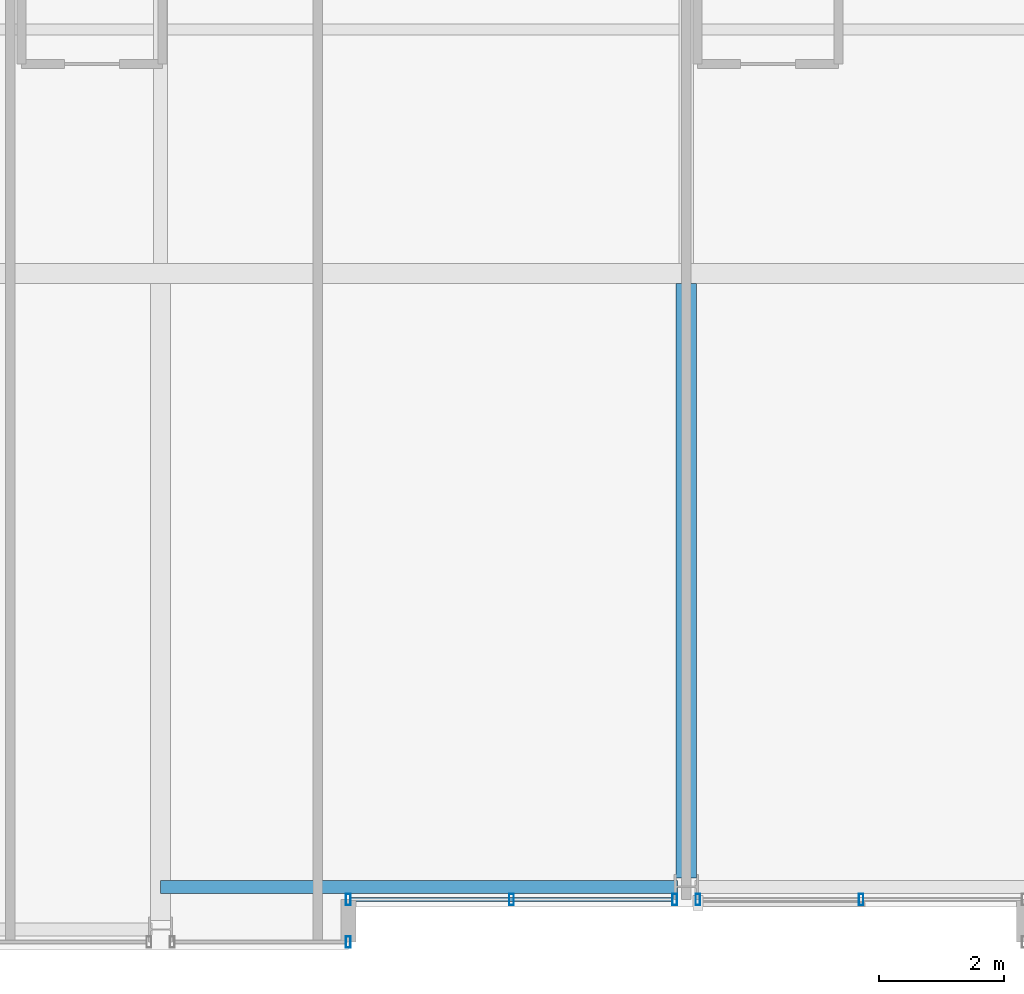
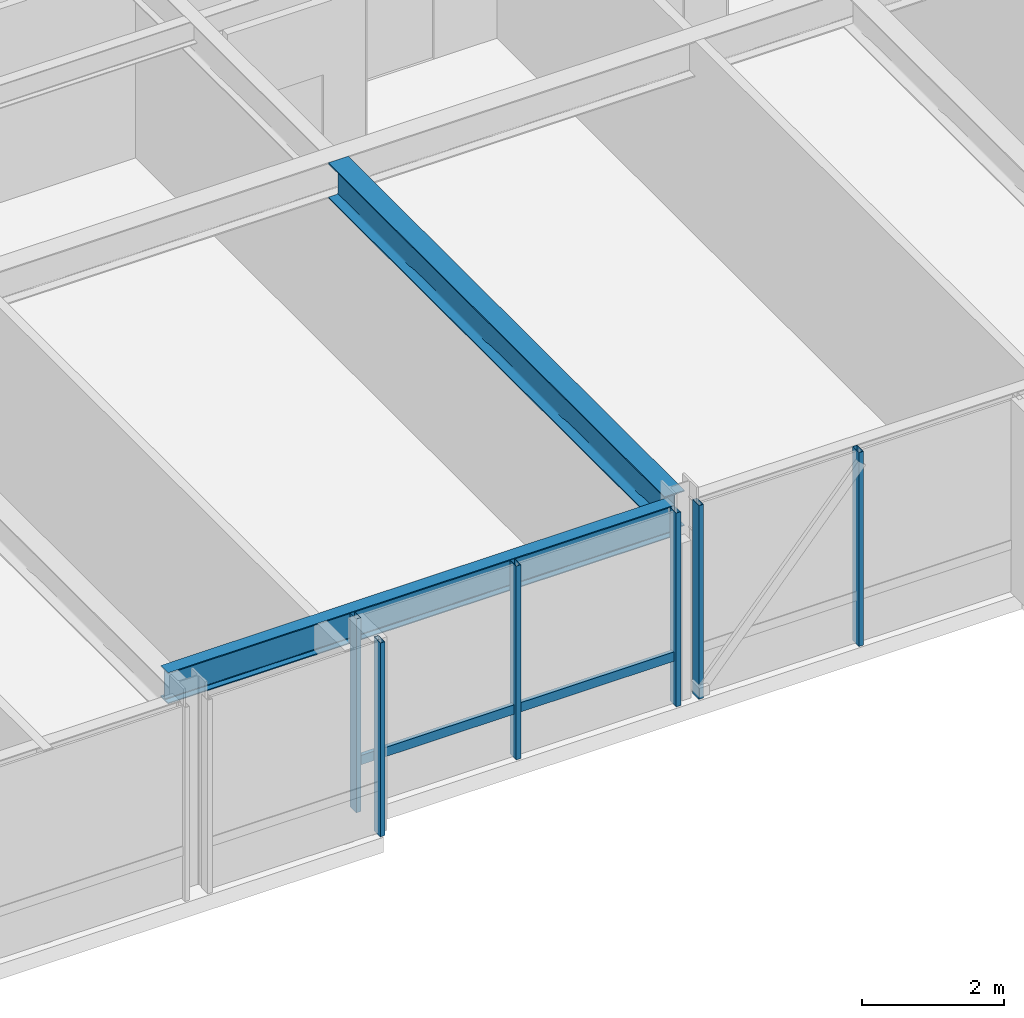
# One storey, part 5 of 33: 7 members, 2 beams, 3 elements without a shape of their own.
"""IFC4 building model written with IfcOpenShell, lengths in metres."""

from ifc_helpers import new_model, si_unit, direction, frame, origin, origin_2d, place, context, subcontext, project, spatial, hollow_rectangle, i_section, extrude, material, layer, layer_set, material_profile, profile_set, type_object, element, aggregate, save


model = new_model("IFC4")

# Units and contexts
model_context = context("Model", 3, precision=1e-05, world=origin(), true_north=direction((0.0, 1.0)))
body_context = subcontext(model_context, "Body", "Model", "MODEL_VIEW")
ifc_project = project(units=[si_unit("LENGTHUNIT", "METRE"), si_unit("AREAUNIT", "SQUARE_METRE"), si_unit("VOLUMEUNIT", "CUBIC_METRE"), si_unit("PLANEANGLEUNIT", "RADIAN"), si_unit("MASSUNIT", "GRAM", prefix="KILO")], contexts=[model_context])

# Site, building, storey
site_placement = place(None, origin())
site = spatial("IfcSite", under=ifc_project, at=site_placement, CompositionType="ELEMENT")
building_placement = place(site_placement, origin())
building = spatial("IfcBuilding", under=site, at=building_placement, Name="Drelvath Grand Hotel", CompositionType="ELEMENT")
storey_placement = place(building_placement, frame((0.0, 0.0, 212.300048828125)))
storey = spatial("IfcBuildingStorey", under=building, at=storey_placement, Name="L55", CompositionType="ELEMENT", Elevation=212.300048828125)

# Curtain wall, members
ifc_material_1 = material(Name="Platinum-Mist Anodised Aluminium Frame", Category="aluminium")
ifc_layer = layer(ifc_material_1, 0.199951171875)
ifc_layer_set = layer_set([ifc_layer], Name="Platinum-Mist Anodised Aluminium Frame")
curtain_wall_type = type_object("IfcCurtainWallType", Name="Stick Curtain Wall CW-05 Platinum Mist High-Rise", PredefinedType="NOTDEFINED", material=ifc_layer_set)
curtain_wall_1_placement = place(storey_placement, origin())
curtain_wall_1 = element("IfcCurtainWall", 1, at=curtain_wall_1_placement, inside=storey, type_object=curtain_wall_type, Name="L55 CW-05 Curtain Wall CW05-L55-SM1", PredefinedType="NOTDEFINED")
ifc_material_profile_1 = material_profile(ifc_material_1, hollow_rectangle(XDim=0.06494140625, YDim=0.159912109375, WallThickness=0.00390625, at=origin_2d()), Name="HSS160X65X4")
ifc_profile_set_1 = profile_set([ifc_material_profile_1], Name="Platinum-Mist Anodised Aluminium Frame")
member_type_1 = type_object("IfcMemberType", Name="Curtain Wall Horizontal Transom CW-05 HSS160X65X4", PredefinedType="USERDEFINED", material=ifc_profile_set_1)
member_1_placement = place(storey_placement, frame((-0.225341796875, 0.800048828125, 0.8349609375), z_axis=(-1.0, 0.0, 0.0), x_axis=(0.0, -1.0, 0.0)))
member_1 = element("IfcMember", 2, at=member_1_placement, type_object=member_type_1, Name="CW05-L55-SM1 Sill Transom", ObjectType="TRANSOM", PredefinedType="USERDEFINED", context=body_context, shape_type="SweptSolid", body=[
    extrude(hollow_rectangle(XDim=0.06494140625, YDim=0.159912109375, WallThickness=0.00390625, at=origin_2d()), origin(), (0.0, 0.0, 1.0), 5.134765625),
])
ifc_material_profile_2 = material_profile(ifc_material_1, hollow_rectangle(XDim=0.074951171875, YDim=0.179931640625, WallThickness=0.0048828125, at=origin_2d()), Name="HSS180X75X5")
ifc_profile_set_2 = profile_set([ifc_material_profile_2], Name="Platinum-Mist Anodised Aluminium Frame")
member_type_2 = type_object("IfcMemberType", Name="Curtain Wall Vertical Mullion CW-05 HSS180X75X5", PredefinedType="MULLION", material=ifc_profile_set_2)
member_2_placement = place(storey_placement, frame((-0.185302734375, 0.800048828125, 0.0), z_axis=(0.0, 0.0, 1.0), x_axis=(1.0, 0.0, 0.0)))
member_2 = element("IfcMember", 3, at=member_2_placement, type_object=member_type_2, Name="CW05-L55-SM1 Mullion 1", PredefinedType="MULLION", context=body_context, shape_type="SweptSolid", body=[
    extrude(hollow_rectangle(XDim=0.074951171875, YDim=0.179931640625, WallThickness=0.0048828125, at=origin_2d()), origin(), (0.0, 0.0, 1.0), 3.33984375),
])
member_3_placement = place(storey_placement, frame((-2.792724609375, 0.800048828125, 0.0), z_axis=(0.0, 0.0, 1.0), x_axis=(1.0, 0.0, 0.0)))
member_3 = element("IfcMember", 4, at=member_3_placement, type_object=member_type_2, Name="CW05-L55-SM1 Mullion 2", PredefinedType="MULLION", context=body_context, shape_type="SweptSolid", body=[
    extrude(hollow_rectangle(XDim=0.074951171875, YDim=0.179931640625, WallThickness=0.0048828125, at=origin_2d()), origin(), (0.0, 0.0, 1.0), 3.33984375),
])
member_4_placement = place(storey_placement, frame((-5.39990234375, 0.800048828125, 0.0), z_axis=(0.0, 0.0, 1.0), x_axis=(1.0, 0.0, 0.0)))
member_4 = element("IfcMember", 5, at=member_4_placement, type_object=member_type_2, Name="CW05-L55-SM1 Mullion 3", PredefinedType="MULLION", context=body_context, shape_type="SweptSolid", body=[
    extrude(hollow_rectangle(XDim=0.074951171875, YDim=0.179931640625, WallThickness=0.0048828125, at=origin_2d()), origin(), (0.0, 0.0, 1.0), 3.33984375),
])
aggregate(curtain_wall_1, [member_2, member_3, member_4, member_1])

curtain_wall_2_placement = place(storey_placement, origin())
curtain_wall_2 = element("IfcCurtainWall", 6, at=curtain_wall_2_placement, inside=storey, type_object=curtain_wall_type, Name="L55 CW-05 Curtain Wall CW05-L55-SM2", PredefinedType="NOTDEFINED")
member_5_placement = place(storey_placement, frame((2.792724609375, 0.800048828125, 0.0), z_axis=(0.0, 0.0, 1.0), x_axis=(1.0, 0.0, 0.0)))
member_5 = element("IfcMember", 7, at=member_5_placement, type_object=member_type_2, Name="CW05-L55-SM2 Mullion 2", PredefinedType="MULLION", context=body_context, shape_type="SweptSolid", body=[
    extrude(hollow_rectangle(XDim=0.074951171875, YDim=0.179931640625, WallThickness=0.0048828125, at=origin_2d()), origin(), (0.0, 0.0, 1.0), 3.33984375),
])
member_6_placement = place(storey_placement, frame((0.185302734375, 0.800048828125, 0.0), z_axis=(0.0, 0.0, 1.0), x_axis=(1.0, 0.0, 0.0)))
member_6 = element("IfcMember", 8, at=member_6_placement, type_object=member_type_2, Name="CW05-L55-SM2 Mullion 3", PredefinedType="MULLION", context=body_context, shape_type="SweptSolid", body=[
    extrude(hollow_rectangle(XDim=0.074951171875, YDim=0.179931640625, WallThickness=0.0048828125, at=origin_2d()), origin(), (0.0, 0.0, 1.0), 3.33984375),
])
aggregate(curtain_wall_2, [member_5, member_6])

# Curtain wall, member
curtain_wall_3_placement = place(storey_placement, origin())
curtain_wall_3 = element("IfcCurtainWall", 9, at=curtain_wall_3_placement, inside=storey, type_object=curtain_wall_type, Name="L55 CW-05 Curtain Wall CW05-L55-SW3", PredefinedType="NOTDEFINED")
member_7_placement = place(storey_placement, frame((-5.39990234375, 0.1201171875, 0.0), z_axis=(0.0, 0.0, 1.0), x_axis=(1.0, 0.0, 0.0)))
member_7 = element("IfcMember", 10, at=member_7_placement, type_object=member_type_2, Name="CW05-L55-SW3 Mullion 1", PredefinedType="MULLION", context=body_context, shape_type="SweptSolid", body=[
    extrude(hollow_rectangle(XDim=0.074951171875, YDim=0.179931640625, WallThickness=0.0048828125, at=origin_2d()), origin(), (0.0, 0.0, 1.0), 3.33984375),
])
aggregate(curtain_wall_3, [member_7])

# Beams
ifc_material_2 = material(Name="Steel ASTM A992 Gr 50", Category="steel")
ifc_material_profile_3 = material_profile(ifc_material_2, i_section(OverallWidth=0.210205078125, OverallDepth=0.53662109375, WebThickness=0.010986328125, FlangeThickness=0.017333984375, FilletRadius=0.01806640625, at=origin_2d()), Name="W21X68")
ifc_profile_set_3 = profile_set([ifc_material_profile_3], Name="Steel ASTM A992 Gr 50")
beam_type_1 = type_object("IfcBeamType", Name="Perimeter Spandrel Beam W21X68", PredefinedType="SPANDREL", material=ifc_profile_set_3)
beam_1_placement = place(storey_placement, frame((-8.39990234375, 1.0, 3.071533203125), z_axis=(1.0, 0.0, 0.0), x_axis=(0.0, 1.0, 0.0)))
element("IfcBeam", 11, at=beam_1_placement, inside=storey, type_object=beam_type_1, Name="L55 Spandrel South Mid W", PredefinedType="SPANDREL", context=body_context, shape_type="SweptSolid", body=[
    extrude(i_section(OverallWidth=0.210205078125, OverallDepth=0.53662109375, WebThickness=0.010986328125, FlangeThickness=0.017333984375, FilletRadius=0.01806640625, at=origin_2d()), origin(), (0.0, 0.0, 1.0), 8.260009765625),
])
ifc_material_profile_4 = material_profile(ifc_material_2, i_section(OverallWidth=0.323974609375, OverallDepth=0.611083984375, WebThickness=0.0126953125, FlangeThickness=0.01904296875, FilletRadius=0.02197265625, at=origin_2d()), Name="W24X104")
ifc_profile_set_4 = profile_set([ifc_material_profile_4], Name="Steel ASTM A992 Gr 50")
beam_type_2 = type_object("IfcBeamType", Name="Primary Floor Girder W24X104", PredefinedType="BEAM", material=ifc_profile_set_4)
beam_2_placement = place(storey_placement, frame((0.0, 1.139892578125, 3.034423828125), z_axis=(0.0, 1.0, 0.0), x_axis=(-1.0, 0.0, 0.0)))
element("IfcBeam", 12, at=beam_2_placement, inside=storey, type_object=beam_type_2, Name="L55 South Wing Girder 5", PredefinedType="BEAM", context=body_context, shape_type="SweptSolid", body=[
    extrude(i_section(OverallWidth=0.323974609375, OverallDepth=0.611083984375, WebThickness=0.0126953125, FlangeThickness=0.01904296875, FilletRadius=0.02197265625, at=origin_2d()), origin(), (0.0, 0.0, 1.0), 9.498046875),
])

save(model, "model.ifc")
